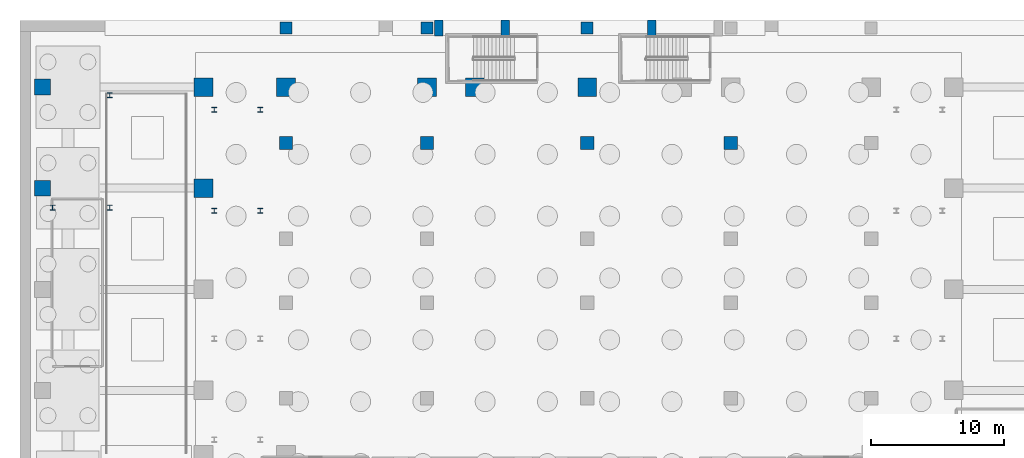
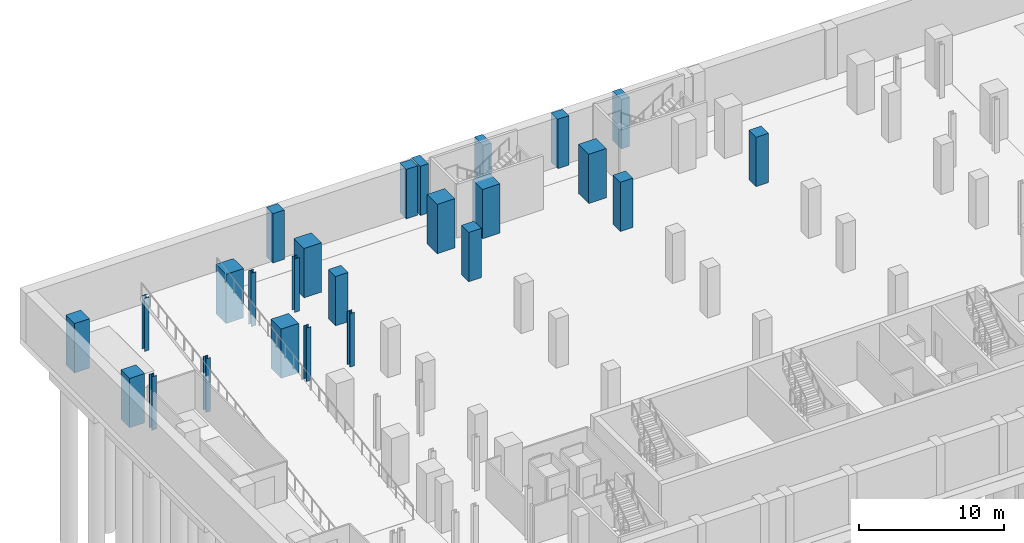
# One storey, part 5 of 18: 25 columns.
"""IFC4 building model written with IfcOpenShell, lengths in metres."""

from ifc_helpers import new_model, si_unit, direction, frame, origin, origin_2d, place, context, subcontext, project, spatial, rectangle, i_section, extrude, material, material_profile, profile_set, type_object, element, save


model = new_model("IFC4")

# Units and contexts
model_context = context("Model", 3, precision=1e-05, world=origin(), true_north=direction((0.0, 1.0)))
body_context = subcontext(model_context, "Body", "Model", "MODEL_VIEW")
ifc_project = project(units=[si_unit("LENGTHUNIT", "METRE"), si_unit("AREAUNIT", "SQUARE_METRE"), si_unit("VOLUMEUNIT", "CUBIC_METRE"), si_unit("PLANEANGLEUNIT", "RADIAN"), si_unit("MASSUNIT", "GRAM", prefix="KILO")], contexts=[model_context])

# Site, building, storey
site_placement = place(None, origin())
site = spatial("IfcSite", under=ifc_project, at=site_placement, CompositionType="ELEMENT")
building_placement = place(site_placement, origin())
building = spatial("IfcBuilding", under=site, at=building_placement, Name="Ndaravel Arena Tower", CompositionType="ELEMENT")
storey_placement = place(building_placement, frame((0.0, 0.0, -9.0)))
storey = spatial("IfcBuildingStorey", under=building, at=storey_placement, Name="B02", CompositionType="ELEMENT", Elevation=-9.0)

# Columns
ifc_material_1 = material(Name="Concrete C40/50", Category="concrete")
ifc_material_profile_1 = material_profile(ifc_material_1, rectangle(XDim=1.0, YDim=1.0, at=origin_2d()), Name="RC 1000x1000")
ifc_profile_set_1 = profile_set([ifc_material_profile_1], Name="Concrete C40/50")
column_type_1 = type_object("IfcColumnType", Name="COL-BSMT-RC1000", PredefinedType="COLUMN", material=ifc_profile_set_1)
for number, where, z_axis, x_axis, name in (
    (1, (20.0, 38.800048828125, 0.0), (0.0, 0.0, 1.0), (1.0, 0.0, 0.0), "B02 Sub-Court Column 04"),
    (2, (30.60009765625, 38.800048828125, 0.0), (0.0, 0.0, 1.0), (1.0, 0.0, 0.0), "B02 Sub-Court Column 08"),
    (3, (42.64990234375, 38.800048828125, 0.0), (0.0, 0.0, 1.0), (1.0, 0.0, 0.0), "B02 Sub-Court Column 12"),
    (4, (53.449951171875, 38.800048828125, 0.0), (0.0, 0.0, 1.0), (1.0, 0.0, 0.0), "B02 Sub-Court Column 16"),
):
    element("IfcColumn", number, at=place(storey_placement, frame(where, z_axis=z_axis, x_axis=x_axis)), inside=storey, type_object=column_type_1, Name=name, PredefinedType="COLUMN", context=body_context, shape_type="SweptSolid", body=[
        extrude(rectangle(XDim=1.0, YDim=1.0, at=origin_2d()), origin(), (0.0, 0.0, 1.0), 4.14990234375),
    ])
ifc_material_2 = material(Name="Concrete C40/50", Category="concrete")
ifc_material_profile_2 = material_profile(ifc_material_2, rectangle(XDim=0.89990234375, YDim=0.89990234375, at=origin_2d()), Name="RC 900x900")
ifc_profile_set_2 = profile_set([ifc_material_profile_2], Name="Concrete C40/50")
column_type_2 = type_object("IfcColumnType", Name="COL-BSMT-RC900", PredefinedType="COLUMN", material=ifc_profile_set_2)
for number, where, z_axis, x_axis, name in (
    (5, (20.0, 47.449951171875, 0.0), (0.0, 0.0, 1.0), (1.0, 0.0, 0.0), "B02 North Concourse Column 1"),
    (6, (30.60009765625, 47.449951171875, 0.0), (0.0, 0.0, 1.0), (1.0, 0.0, 0.0), "B02 North Concourse Column 2"),
    (7, (42.64990234375, 47.449951171875, 0.0), (0.0, 0.0, 1.0), (1.0, 0.0, 0.0), "B02 North Concourse Column 3"),
):
    element("IfcColumn", number, at=place(storey_placement, frame(where, z_axis=z_axis, x_axis=x_axis)), inside=storey, type_object=column_type_2, Name=name, PredefinedType="COLUMN", context=body_context, shape_type="SweptSolid", body=[
        extrude(rectangle(XDim=0.89990234375, YDim=0.89990234375, at=origin_2d()), origin(), (0.0, 0.0, 1.0), 4.14990234375),
    ])
ifc_material_3 = material(Name="Steel S355", Category="steel")
ifc_material_profile_3 = material_profile(ifc_material_3, i_section(OverallWidth=0.374755859375, OverallDepth=0.37451171875, WebThickness=0.0166015625, FlangeThickness=0.027099609375, FilletRadius=0.01513671875, at=origin_2d()), Name="UC 356x368x202")
ifc_profile_set_3 = profile_set([ifc_material_profile_3], Name="Steel S355")
column_type_3 = type_object("IfcColumnType", Name="COL-CRN-UC202", PredefinedType="COLUMN", material=ifc_profile_set_3)
for number, where, z_axis, x_axis, name in (
    (8, (2.449951171875, 33.949951171875, 0.0), (0.0, 0.0, 1.0), (1.0, 0.0, 0.0), "B02 Garden Stair ST-GDN-1 Pier 1.1"),
    (9, (6.75, 33.949951171875, 0.0), (0.0, 0.0, 1.0), (1.0, 0.0, 0.0), "B02 Garden Stair ST-GDN-1 Pier 2.1"),
    (10, (6.75, 42.39990234375, 0.0), (0.0, 0.0, 1.0), (1.0, 0.0, 0.0), "B02 Garden Stair ST-GDN-1 Pier 2.2"),
    (11, (14.60009765625, 33.699951171875, 0.0), (0.0, 0.0, 1.0), (1.0, 0.0, 0.0), "B02 Vomitory Stair ST-VOM-2 Pier 1.1"),
    (12, (14.60009765625, 41.300048828125, 0.0), (0.0, 0.0, 1.0), (1.0, 0.0, 0.0), "B02 Vomitory Stair ST-VOM-2 Pier 1.2"),
    (13, (18.06005859375, 33.699951171875, 0.0), (0.0, 0.0, 1.0), (1.0, 0.0, 0.0), "B02 Vomitory Stair ST-VOM-2 Pier 2.1"),
    (14, (18.06005859375, 41.300048828125, 0.0), (0.0, 0.0, 1.0), (1.0, 0.0, 0.0), "B02 Vomitory Stair ST-VOM-2 Pier 2.2"),
):
    element("IfcColumn", number, at=place(storey_placement, frame(where, z_axis=z_axis, x_axis=x_axis)), inside=storey, type_object=column_type_3, Name=name, PredefinedType="COLUMN", context=body_context, shape_type="SweptSolid", body=[
        extrude(i_section(OverallWidth=0.374755859375, OverallDepth=0.37451171875, WebThickness=0.0166015625, FlangeThickness=0.027099609375, FilletRadius=0.01513671875, at=origin_2d()), origin(), (0.0, 0.0, 1.0), 4.5),
    ])
ifc_material_4 = material(Name="Concrete C60/75", Category="concrete")
ifc_material_profile_4 = material_profile(ifc_material_4, rectangle(XDim=1.199951171875, YDim=1.199951171875, at=origin_2d()), Name="RC 1200x1200")
ifc_profile_set_4 = profile_set([ifc_material_profile_4], Name="Concrete C60/75")
column_type_4 = type_object("IfcColumnType", Name="COL-MEGA-RC1200", PredefinedType="COLUMN", material=ifc_profile_set_4)
for number, where, z_axis, x_axis, name in (
    (15, (1.699951171875, 35.39990234375, 0.0), (0.0, 0.0, 1.0), (1.0, 0.0, 0.0), "B02 Perimeter Mega Column 05"),
    (16, (1.699951171875, 43.0, 0.0), (0.0, 0.0, 1.0), (1.0, 0.0, 0.0), "B02 Perimeter Mega Column 06"),
):
    element("IfcColumn", number, at=place(storey_placement, frame(where, z_axis=z_axis, x_axis=x_axis)), inside=storey, type_object=column_type_4, Name=name, PredefinedType="COLUMN", context=body_context, shape_type="SweptSolid", body=[
        extrude(rectangle(XDim=1.199951171875, YDim=1.199951171875, at=origin_2d()), origin(), (0.0, 0.0, 1.0), 4.14990234375),
    ])
ifc_material_5 = material(Name="Concrete C60/75", Category="concrete")
ifc_material_profile_5 = material_profile(ifc_material_5, rectangle(XDim=1.39990234375, YDim=1.39990234375, at=origin_2d()), Name="RC 1400x1400")
ifc_profile_set_5 = profile_set([ifc_material_profile_5], Name="Concrete C60/75")
column_type_5 = type_object("IfcColumnType", Name="COL-MEGA-RC1400", PredefinedType="COLUMN", material=ifc_profile_set_5)
for number, where, z_axis, x_axis, name in (
    (17, (13.800048828125, 35.39990234375, 0.0), (0.0, 0.0, 1.0), (1.0, 0.0, 0.0), "B02 Arena Ring Mega Column 04"),
    (18, (13.800048828125, 43.0, 0.0), (0.0, 0.0, 1.0), (1.0, 0.0, 0.0), "B02 Arena Ring Mega Column 05"),
    (19, (20.0, 43.0, 0.0), (0.0, 0.0, 1.0), (1.0, 0.0, 0.0), "B02 Arena Ring Mega Column 13"),
    (20, (30.60009765625, 43.0, 0.0), (0.0, 0.0, 1.0), (1.0, 0.0, 0.0), "B02 Arena Ring Mega Column 14"),
    (21, (34.199951171875, 43.0, 0.0), (0.0, 0.0, 1.0), (1.0, 0.0, 0.0), "B02 Arena Ring Mega Column 15"),
    (22, (42.64990234375, 43.0, 0.0), (0.0, 0.0, 1.0), (1.0, 0.0, 0.0), "B02 Arena Ring Mega Column 16"),
):
    element("IfcColumn", number, at=place(storey_placement, frame(where, z_axis=z_axis, x_axis=x_axis)), inside=storey, type_object=column_type_5, Name=name, PredefinedType="COLUMN", context=body_context, shape_type="SweptSolid", body=[
        extrude(rectangle(XDim=1.39990234375, YDim=1.39990234375, at=origin_2d()), origin(), (0.0, 0.0, 1.0), 4.14990234375),
    ])
ifc_material_6 = material(Name="Concrete C40/50", Category="concrete")
ifc_material_profile_6 = material_profile(ifc_material_6, rectangle(XDim=0.64990234375, YDim=1.199951171875, at=origin_2d()), Name="RC 650x1200")
ifc_profile_set_6 = profile_set([ifc_material_profile_6], Name="Concrete C40/50")
column_type_6 = type_object("IfcColumnType", Name="COL-PIL-RC650", PredefinedType="PILASTER", material=ifc_profile_set_6)
for number, where, z_axis, x_axis, name in (
    (23, (31.5, 47.449951171875, 0.0), (0.0, 0.0, 1.0), (1.0, 0.0, 0.0), "B02 North Canopy Pilaster 01"),
    (24, (36.5, 47.449951171875, 0.0), (0.0, 0.0, 1.0), (1.0, 0.0, 0.0), "B02 North Canopy Pilaster 02"),
    (25, (47.5, 47.449951171875, 0.0), (0.0, 0.0, 1.0), (1.0, 0.0, 0.0), "B02 North Canopy Pilaster 03"),
):
    element("IfcColumn", number, at=place(storey_placement, frame(where, z_axis=z_axis, x_axis=x_axis)), inside=storey, type_object=column_type_6, Name=name, PredefinedType="PILASTER", context=body_context, shape_type="SweptSolid", body=[
        extrude(rectangle(XDim=0.64990234375, YDim=1.199951171875, at=origin_2d()), origin(), (0.0, 0.0, 1.0), 4.14990234375),
    ])

save(model, "model.ifc")
